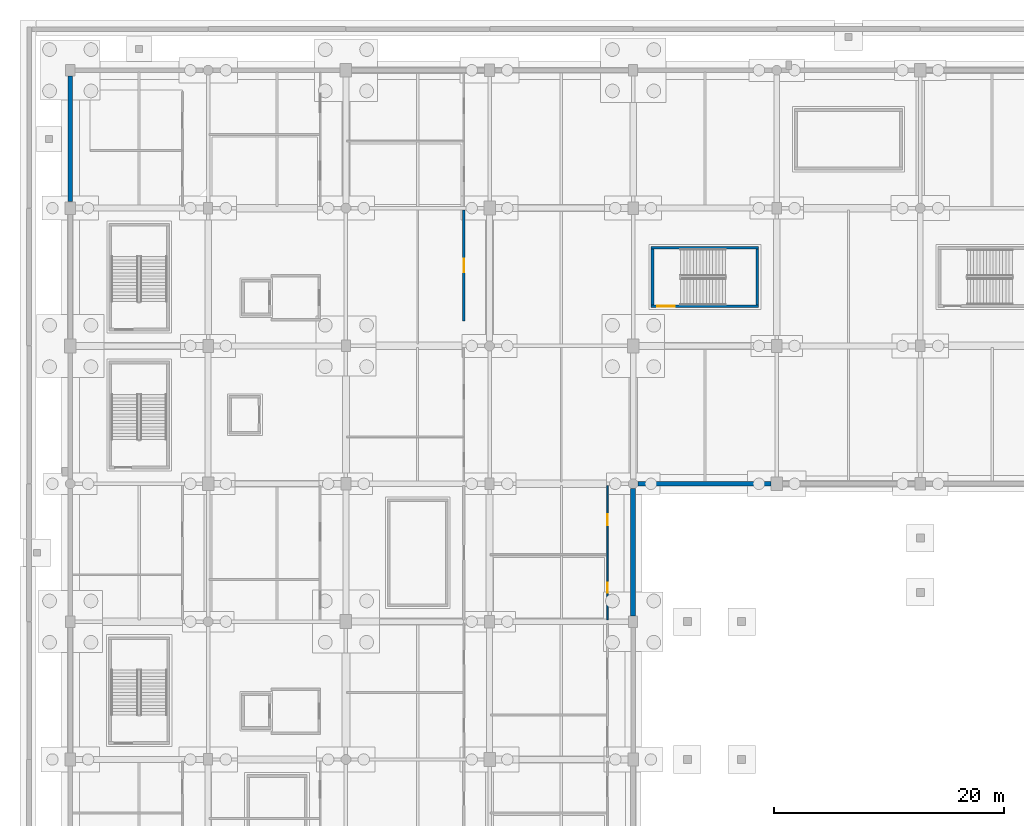
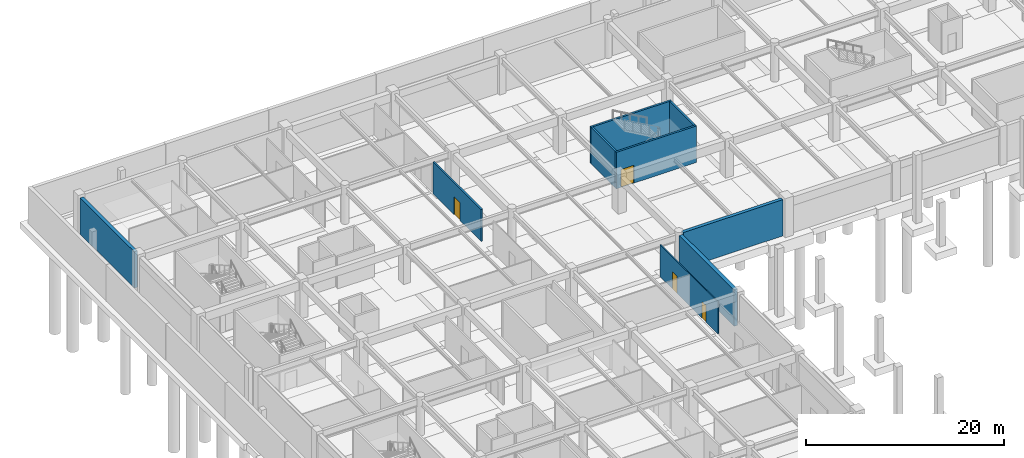
# One storey, part 35 of 56: 9 walls, 4 doors, 4 openings.
"""IFC4 building model written with IfcOpenShell, lengths in metres."""

import ifcopenshell
import ifcopenshell.guid

model = None  # the IFC model being written
_history = None  # IfcOwnerHistory: only IFC2X3 demands one
_inside = {}  # id of a spatial element -> (the spatial element, [elements in it])
_under = {}  # id of a project, library or spatial element -> (it, [spatial elements below it])
_declared = {}  # id of a project -> (the project, [libraries it declares])
_typed = {}  # id of a type object -> (the type object, [elements of that type])
_made_of = {}  # id of a material, layer set ... -> (it, [elements and type objects made of it])


def new_model(schema):
    """Start an empty IFC model of exactly this schema.

    Asked for "IFC4X3", IfcOpenShell would pick the latest addendum, in which some entities
    have other attributes; the version numbers below select the first issue.
    IFC2X3 requires an IfcOwnerHistory on every rooted entity: one is made here for all.
    """
    global model, _history
    if schema == "IFC4X3":
        model = ifcopenshell.file(schema_version=(4, 3, 0, 0))
    else:
        model = ifcopenshell.file(schema=schema)
    _inside.clear()
    _under.clear()
    _declared.clear()
    _typed.clear()
    _made_of.clear()
    _history = None
    if model.schema == "IFC2X3":
        org = make("IfcOrganization", Name="unknown")
        user = make(
            "IfcPersonAndOrganization",
            ThePerson=make("IfcPerson", FamilyName="unknown"),
            TheOrganization=org,
        )
        app = make(
            "IfcApplication",
            ApplicationDeveloper=org,
            Version="unknown",
            ApplicationFullName="unknown",
            ApplicationIdentifier="unknown",
        )
        _history = make(
            "IfcOwnerHistory",
            OwningUser=user,
            OwningApplication=app,
            ChangeAction="ADDED",
            CreationDate=0,
        )
    return model


def make(cls, **values):
    """One entity of the class cls with the attributes given. An attribute that is None is left unset."""
    return model.create_entity(
        cls, **{name: value for name, value in values.items() if value is not None}
    )


def rooted(cls, **values):
    """An entity with a GlobalId (a new one), such as an element, a storey or a relation."""
    return make(cls, GlobalId=ifcopenshell.guid.new(), OwnerHistory=_history, **values)


def si_unit(unit_type, name, prefix=None):
    """IfcSIUnit, for example si_unit("LENGTHUNIT", "METRE", prefix="MILLI")."""
    return make("IfcSIUnit", UnitType=unit_type, Prefix=prefix, Name=name)


def assignment(units):
    """IfcUnitAssignment: the units of a project."""
    return None if units is None else make("IfcUnitAssignment", Units=units)


def point(xyz):
    """IfcCartesianPoint."""
    return None if xyz is None else make("IfcCartesianPoint", Coordinates=xyz)


def direction(xyz):
    """IfcDirection."""
    return None if xyz is None else make("IfcDirection", DirectionRatios=xyz)


def frame(location, z_axis=None, x_axis=None):
    """IfcAxis2Placement3D, a coordinate frame: its origin and axes. An axis left out is left unset."""
    return make(
        "IfcAxis2Placement3D",
        Location=point(location),
        Axis=direction(z_axis),
        RefDirection=direction(x_axis),
    )


def frame_2d(location, x_axis=None):
    """IfcAxis2Placement2D, a coordinate frame in the plane: its origin and x axis."""
    return make(
        "IfcAxis2Placement2D", Location=point(location), RefDirection=direction(x_axis)
    )


def origin():
    """The frame at (0, 0, 0) with its axes left unset."""
    return frame((0.0, 0.0, 0.0))


def place(relative_to, where):
    """IfcLocalPlacement: puts the frame where relative to a parent placement (None: the world)."""
    return make(
        "IfcLocalPlacement", PlacementRelTo=relative_to, RelativePlacement=where
    )


def context(
    kind, dimensions, precision=None, world=None, true_north=None, identifier=None
):
    """IfcGeometricRepresentationContext, for example the 3D "Model" context."""
    return make(
        "IfcGeometricRepresentationContext",
        ContextIdentifier=identifier,
        ContextType=kind,
        CoordinateSpaceDimension=dimensions,
        Precision=precision,
        WorldCoordinateSystem=world,
        TrueNorth=true_north,
    )


def subcontext(parent, identifier, kind, view, scale=None):
    """IfcGeometricRepresentationSubContext, for example "Body" below "Model"."""
    return make(
        "IfcGeometricRepresentationSubContext",
        ContextIdentifier=identifier,
        ContextType=kind,
        ParentContext=parent,
        TargetScale=scale,
        TargetView=view,
    )


def project(units=None, contexts=None):
    """IfcProject with its units and contexts."""
    return rooted(
        "IfcProject",
        Name="project",
        RepresentationContexts=contexts,
        UnitsInContext=assignment(units),
    )


def spatial(cls, under=None, at=None, **own):
    """A site, building, storey or space (cls), placed at a placement, below another one or the project."""
    s = rooted(cls, ObjectPlacement=at, **own)
    if under is not None:
        _under.setdefault(under.id(), (under, []))[1].append(s)
    return s


def profile(cls, at=None, kind="AREA", **sizes):
    """A parametric profile (cls). Its sizes go by their IFC names, for example OverallWidth=200.0."""
    return make(cls, ProfileType=kind, Position=at, **sizes)


def rectangle(**sizes):
    """IfcRectangleProfileDef."""
    return profile("IfcRectangleProfileDef", **sizes)


def extrude(swept, where, along, depth):
    """IfcExtrudedAreaSolid: the profile swept, set in the frame where, extruded along a direction by depth."""
    return make(
        "IfcExtrudedAreaSolid",
        SweptArea=swept,
        Position=where,
        ExtrudedDirection=direction(along),
        Depth=depth,
    )


def shape(context_of_items, identifier, shape_type, items):
    """IfcShapeRepresentation: the items that make up one representation, for example the "Body"."""
    return make(
        "IfcShapeRepresentation",
        ContextOfItems=context_of_items,
        RepresentationIdentifier=identifier,
        RepresentationType=shape_type,
        Items=items,
    )


def material(Name=None, Category=None):
    """IfcMaterial."""
    return make("IfcMaterial", Name=Name, Category=Category)


def layer(
    of_material, thickness, ventilated=None, Name=None, Category=None, Priority=None
):
    """IfcMaterialLayer: one layer of a wall or slab, of a material (None: an air gap)."""
    return make(
        "IfcMaterialLayer",
        Material=of_material,
        LayerThickness=thickness,
        IsVentilated=ventilated,
        Name=Name,
        Category=Category,
        Priority=Priority,
    )


def layer_set(layers, Name=None):
    """IfcMaterialLayerSet."""
    return make("IfcMaterialLayerSet", MaterialLayers=layers, LayerSetName=Name)


def made_of(thing, what):
    """Note that an element or type object is made of a material, layer set ...; save() writes the relation."""
    if what is not None:
        _made_of.setdefault(what.id(), (what, []))[1].append(thing)
    return thing


def type_object(cls, material=None, **own):
    """A type object (cls), such as IfcWallType, which elements share."""
    return made_of(rooted(cls, **own), material)


def element(
    cls,
    number,
    at=None,
    inside=None,
    cuts=None,
    type_object=None,
    material=None,
    context=None,
    identifier="Body",
    shape_type=None,
    held_by="IfcProductDefinitionShape",
    body=None,
    shapes=None,
    **own,
):
    """One element of the class cls, such as IfcWall. Its Tag is "e" and its number.

    at: its placement. inside: the storey or other place that contains it. cuts: it is an
    opening in that element (IfcRelVoidsElement). A single representation is given by context,
    identifier, shape_type and body (its items); several are given by shapes. held_by: the class
    of the entity that holds the representations. save() writes the other relations.
    """
    e = rooted(cls, Tag="e%d" % number, ObjectPlacement=at, **own)
    if body is not None:
        shapes = [shape(context, identifier, shape_type, body)]
    if shapes is not None:
        e.Representation = make(held_by, Representations=shapes)
    if inside is not None:
        _inside.setdefault(inside.id(), (inside, []))[1].append(e)
    if cuts is not None:
        rooted(
            "IfcRelVoidsElement", RelatingBuildingElement=cuts, RelatedOpeningElement=e
        )
    if type_object is not None:
        _typed.setdefault(type_object.id(), (type_object, []))[1].append(e)
    return made_of(e, material)


def fill(opening, filler):
    """IfcRelFillsElement: the door or window that sits in an opening."""
    return rooted(
        "IfcRelFillsElement",
        RelatingOpeningElement=opening,
        RelatedBuildingElement=filler,
    )


def aggregate(whole, parts):
    """IfcRelAggregates: a whole, such as a stair, and the parts it consists of."""
    return rooted("IfcRelAggregates", RelatingObject=whole, RelatedObjects=parts)


def save(model, path):
    """Write the relations noted so far, then the file.

    IfcRelAggregates (storeys below a building ...), IfcRelContainedInSpatialStructure (elements
    in a storey), IfcRelDefinesByType, IfcRelAssociatesMaterial and IfcRelDeclares: one each for
    every whole, place, type object, material and project.
    """
    for whole, parts in _under.values():
        aggregate(whole, parts)
    for where, things in _inside.values():
        rooted(
            "IfcRelContainedInSpatialStructure",
            RelatedElements=things,
            RelatingStructure=where,
        )
    for kind, things in _typed.values():
        rooted("IfcRelDefinesByType", RelatedObjects=things, RelatingType=kind)
    for what, things in _made_of.values():
        rooted("IfcRelAssociatesMaterial", RelatedObjects=things, RelatingMaterial=what)
    for by, libraries in _declared.values():
        rooted("IfcRelDeclares", RelatingContext=by, RelatedDefinitions=libraries)
    model.write(path)


model = new_model("IFC4")

# Units and contexts
model_context = context("Model", 3, precision=1e-05, world=origin(), true_north=direction((0.0, 1.0)))
body_context = subcontext(model_context, "Body", "Model", "MODEL_VIEW")
ifc_project = project(units=[si_unit("LENGTHUNIT", "METRE"), si_unit("AREAUNIT", "SQUARE_METRE"), si_unit("VOLUMEUNIT", "CUBIC_METRE"), si_unit("PLANEANGLEUNIT", "RADIAN"), si_unit("MASSUNIT", "GRAM", prefix="KILO")], contexts=[model_context])

# Site, building, storey
site_placement = place(None, origin())
site = spatial("IfcSite", under=ifc_project, at=site_placement, CompositionType="ELEMENT")
building_placement = place(site_placement, origin())
building = spatial("IfcBuilding", under=site, at=building_placement, Name="Kazenohara Klinker Stadium", CompositionType="ELEMENT")
storey_placement = place(building_placement, frame((0.0, 0.0, -4.800048828125)))
storey = spatial("IfcBuildingStorey", under=building, at=storey_placement, Name="B01", CompositionType="ELEMENT", Elevation=-4.800048828125)

# Walls
ifc_material_1 = material(Name="Concrete C40/50", Category="concrete")
ifc_layer_1 = layer(ifc_material_1, 0.3798828125)
ifc_layer_set_1 = layer_set([ifc_layer_1], Name="Concrete C40/50")
wall_type_1 = type_object("IfcWallType", Name="WAL-B01-RET380", PredefinedType="STANDARD", material=ifc_layer_set_1)
wall_1_placement = place(storey_placement, frame((0.0, 156.553955078125, 0.0), z_axis=(0.0, 0.0, 1.0), x_axis=(0.0, 1.0, 0.0)))
element("IfcWall", 1, at=wall_1_placement, inside=storey, type_object=wall_type_1, Name="Basement perimeter retaining wall RW02 Y-00-13", PredefinedType="STANDARD", context=body_context, shape_type="SweptSolid", body=[
    extrude(rectangle(XDim=10.942138671875, YDim=0.3798828125, at=frame_2d((5.47119140625, 0.0))), origin(), (0.0, 0.0, 1.0), 4.4599609375),
])
wall_2_placement = place(storey_placement, frame((49.428955078125, 132.0, 0.0), z_axis=(0.0, 0.0, 1.0), x_axis=(1.0, 0.0, 0.0)))
element("IfcWall", 2, at=wall_2_placement, inside=storey, type_object=wall_type_1, Name="Basement perimeter retaining wall RW02 X-04-11", PredefinedType="STANDARD", context=body_context, shape_type="SweptSolid", body=[
    extrude(rectangle(XDim=11.567138671875, YDim=0.3798828125, at=frame_2d((5.78369140625, 0.0))), origin(), (0.0, 0.0, 1.0), 4.4599609375),
])
ifc_layer_2 = layer(ifc_material_1, 0.419921875)
ifc_layer_set_2 = layer_set([ifc_layer_2], Name="Concrete C40/50")
wall_type_2 = type_object("IfcWallType", Name="WAL-B01-RET420", PredefinedType="STANDARD", material=ifc_layer_set_2)
wall_3_placement = place(storey_placement, frame((49.0, 120.50390625, 0.0), z_axis=(0.0, 0.0, 1.0), x_axis=(0.0, 1.0, 0.0)))
element("IfcWall", 3, at=wall_3_placement, inside=storey, type_object=wall_type_2, Name="Basement perimeter retaining wall RW01 Y-04-10", PredefinedType="STANDARD", context=body_context, shape_type="SweptSolid", body=[
    extrude(rectangle(XDim=11.067138671875, YDim=0.419921875, at=frame_2d((5.53369140625, 0.0))), origin(), (0.0, 0.0, 1.0), 4.4599609375),
])

# Wall, opening, door
ifc_layer_3 = layer(ifc_material_1, 0.22998046875)
ifc_layer_set_3 = layer_set([ifc_layer_3], Name="Concrete C40/50")
wall_type_3 = type_object("IfcWallType", Name="WAL-CORE-230", PredefinedType="SHEAR", material=ifc_layer_set_3)
wall_4_placement = place(storey_placement, frame((50.570068359375, 147.455078125, 0.0), z_axis=(0.0, 0.0, 1.0), x_axis=(1.0, 0.0, 0.0)))
wall_4 = element("IfcWall", 4, at=wall_4_placement, inside=storey, type_object=wall_type_3, Name="Stairwell shear wall ST08 B01 South", PredefinedType="SHEAR", context=body_context, shape_type="SweptSolid", body=[
    extrude(rectangle(XDim=9.35986328125, YDim=0.22998046875, at=frame_2d((4.679931640625, 0.0))), origin(), (0.0, 0.0, 1.0), 4.5),
])
opening_1_placement = place(wall_4_placement, frame((0.550048828125, 0.0, 0.0)))
opening_1 = element("IfcOpeningElement", 5, at=opening_1_placement, cuts=wall_4, Name="Opening SD02", PredefinedType="OPENING", context=body_context, shape_type="SweptSolid", body=[
    extrude(rectangle(XDim=1.5, YDim=2.199951171875, at=frame_2d((0.75, 1.10009765625))), frame((0.0, 0.125, 0.0), z_axis=(0.0, -1.0, 0.0), x_axis=(1.0, 0.0, 0.0)), (0.0, 0.0, 1.0), 0.25),
])
ifc_material_2 = material(Name="Flush painted steel fire door leaf", Category="steel")
door_type_1 = type_object("IfcDoorType", Name="DR-STR-1500x2200", OperationType="NOTDEFINED", PredefinedType="DOOR", material=ifc_material_2)
door_1_placement = place(opening_1_placement, origin())
door_1 = element("IfcDoor", 6, at=door_1_placement, inside=storey, type_object=door_type_1, Name="Escape stairwell fire door ST08-B01", OperationType="SINGLE_SWING_RIGHT", OverallHeight=2.199951171875, OverallWidth=1.5, PredefinedType="DOOR", context=body_context, shape_type="SweptSolid", body=[
    extrude(rectangle(XDim=1.5, YDim=2.199951171875, at=frame_2d((0.75, 1.10009765625))), frame((0.0, 0.02490234375, 0.0), z_axis=(0.0, -1.0, 0.0), x_axis=(1.0, 0.0, 0.0)), (0.0, 0.0, 1.0), 0.050048828125),
])
fill(opening_1, door_1)

# Walls
wall_5_placement = place(storey_placement, frame((50.570068359375, 152.544921875, 0.0), z_axis=(0.0, 0.0, 1.0), x_axis=(1.0, 0.0, 0.0)))
element("IfcWall", 7, at=wall_5_placement, inside=storey, type_object=wall_type_3, Name="Stairwell shear wall ST08 B01 North", PredefinedType="SHEAR", context=body_context, shape_type="SweptSolid", body=[
    extrude(rectangle(XDim=9.35986328125, YDim=0.22998046875, at=frame_2d((4.679931640625, 0.0))), origin(), (0.0, 0.0, 1.0), 4.5),
])
for number, where, z_axis, x_axis, name in (
    (8, (50.68505859375, 147.570068359375, 0.0), (0.0, 0.0, 1.0), (0.0, 1.0, 0.0), "Stairwell shear wall ST08 B01 West"),
    (9, (59.81494140625, 147.570068359375, 0.0), (0.0, 0.0, 1.0), (0.0, 1.0, 0.0), "Stairwell shear wall ST08 B01 East"),
):
    element("IfcWall", number, at=place(storey_placement, frame(where, z_axis=z_axis, x_axis=x_axis)), inside=storey, type_object=wall_type_3, Name=name, PredefinedType="SHEAR", context=body_context, shape_type="SweptSolid", body=[
        extrude(rectangle(XDim=4.85986328125, YDim=0.22998046875, at=frame_2d((2.429931640625, 0.0))), origin(), (0.0, 0.0, 1.0), 4.5),
    ])

# Wall, openings, doors
ifc_material_3 = material(Name="Fire-rated gypsum board on acoustic studs", Category="gypsum")
ifc_layer_4 = layer(ifc_material_3, 0.1201171875)
ifc_layer_set_4 = layer_set([ifc_layer_4], Name="Fire-rated gypsum board on acoustic studs")
wall_type_4 = type_object("IfcWallType", Name="WAL-INT-P120", PredefinedType="PARTITIONING", material=ifc_layer_set_4)
wall_6_placement = place(storey_placement, frame((46.760009765625, 120.159912109375, 0.0), z_axis=(0.0, 0.0, 1.0), x_axis=(0.0, 1.0, 0.0)))
wall_6 = element("IfcWall", 10, at=wall_6_placement, inside=storey, type_object=wall_type_4, Name="Interior partition wall PT02 SPC-B01-03-10-1-1", PredefinedType="PARTITIONING", context=body_context, shape_type="SweptSolid", body=[
    extrude(rectangle(XDim=11.68017578125, YDim=0.1201171875, at=frame_2d((5.840087890625, 0.0))), origin(), (0.0, 0.0, 1.0), 3.920166015625),
])
opening_2_placement = place(wall_6_placement, frame((2.34228515625, 0.0, 0.0)))
opening_2 = element("IfcOpeningElement", 11, at=opening_2_placement, cuts=wall_6, Name="Opening ID01", PredefinedType="OPENING", context=body_context, shape_type="SweptSolid", body=[
    extrude(rectangle(XDim=0.89990234375, YDim=2.06005859375, at=frame_2d((0.449951171875, 1.030029296875))), frame((0.0, 0.070068359375, 0.0), z_axis=(0.0, -1.0, 0.0), x_axis=(1.0, 0.0, 0.0)), (0.0, 0.0, 1.0), 0.14013671875),
])
opening_3_placement = place(wall_6_placement, frame((8.25244140625, 0.0, 0.0)))
opening_3 = element("IfcOpeningElement", 12, at=opening_3_placement, cuts=wall_6, Name="Opening ID02", PredefinedType="OPENING", context=body_context, shape_type="SweptSolid", body=[
    extrude(rectangle(XDim=0.919921875, YDim=2.10009765625, at=frame_2d((0.4599609375, 1.050048828125))), frame((0.0, 0.070068359375, 0.0), z_axis=(0.0, -1.0, 0.0), x_axis=(1.0, 0.0, 0.0)), (0.0, 0.0, 1.0), 0.14013671875),
])
ifc_material_4 = material(Name="Solid-core Hokkaido oak fire door", Category="wood")
door_type_2 = type_object("IfcDoorType", Name="DR-INT-01", OperationType="NOTDEFINED", PredefinedType="DOOR", material=ifc_material_4)
door_2_placement = place(opening_2_placement, origin())
door_2 = element("IfcDoor", 13, at=door_2_placement, inside=storey, type_object=door_type_2, Name="Interior door ID01 Sports Hydrotherapy Recovery Clinic B01-0310A", OperationType="SINGLE_SWING_RIGHT", OverallHeight=2.06005859375, OverallWidth=0.89990234375, PredefinedType="DOOR", context=body_context, shape_type="SweptSolid", body=[
    extrude(rectangle(XDim=0.89990234375, YDim=2.06005859375, at=frame_2d((0.449951171875, 1.030029296875))), frame((0.0, 0.02490234375, 0.0), z_axis=(0.0, -1.0, 0.0), x_axis=(1.0, 0.0, 0.0)), (0.0, 0.0, 1.0), 0.050048828125),
])
fill(opening_2, door_2)
door_type_3 = type_object("IfcDoorType", Name="DR-INT-02", OperationType="NOTDEFINED", PredefinedType="DOOR", material=ifc_material_4)
door_3_placement = place(opening_3_placement, origin())
door_3 = element("IfcDoor", 14, at=door_3_placement, inside=storey, type_object=door_type_3, Name="Interior door ID02 Doping Control Medical Laboratory B01-0310B", OperationType="SINGLE_SWING_LEFT", OverallHeight=2.10009765625, OverallWidth=0.919921875, PredefinedType="DOOR", context=body_context, shape_type="SweptSolid", body=[
    extrude(rectangle(XDim=0.919921875, YDim=2.10009765625, at=frame_2d((0.4599609375, 1.050048828125))), frame((0.0, 0.02490234375, 0.0), z_axis=(0.0, -1.0, 0.0), x_axis=(1.0, 0.0, 0.0)), (0.0, 0.0, 1.0), 0.050048828125),
])
fill(opening_3, door_3)

# Wall, opening, door
ifc_layer_5 = layer(ifc_material_3, 0.18994140625)
ifc_layer_set_5 = layer_set([ifc_layer_5], Name="Fire-rated gypsum board on acoustic studs")
wall_type_5 = type_object("IfcWallType", Name="WAL-INT-P190", PredefinedType="PARTITIONING", material=ifc_layer_set_5)
wall_7_placement = place(storey_placement, frame((34.260009765625, 146.169921875, 0.0), z_axis=(0.0, 0.0, 1.0), x_axis=(0.0, 1.0, 0.0)))
wall_7 = element("IfcWall", 15, at=wall_7_placement, inside=storey, type_object=wall_type_5, Name="Interior partition wall PT06 SPC-B01-02-12-1-1", PredefinedType="PARTITIONING", context=body_context, shape_type="SweptSolid", body=[
    extrude(rectangle(XDim=9.670166015625, YDim=0.18994140625, at=frame_2d((4.8349609375, 0.0))), origin(), (0.0, 0.0, 1.0), 3.920166015625),
])
opening_4_placement = place(wall_7_placement, frame((4.22998046875, 0.0, 0.0)))
opening_4 = element("IfcOpeningElement", 16, at=opening_4_placement, cuts=wall_7, Name="Opening ID12", PredefinedType="OPENING", context=body_context, shape_type="SweptSolid", body=[
    extrude(rectangle(XDim=1.2099609375, YDim=2.179931640625, at=frame_2d((0.60498046875, 1.08984375))), frame((0.0, 0.10498046875, 0.0), z_axis=(0.0, -1.0, 0.0), x_axis=(1.0, 0.0, 0.0)), (0.0, 0.0, 1.0), 0.2099609375),
])
door_type_4 = type_object("IfcDoorType", Name="DR-INT-12", OperationType="NOTDEFINED", PredefinedType="DOOR", material=ifc_material_4)
door_4_placement = place(opening_4_placement, origin())
door_4 = element("IfcDoor", 17, at=door_4_placement, inside=storey, type_object=door_type_4, Name="Interior door ID12 Match Officials Dressing Room B01-0212A", OperationType="SINGLE_SWING_LEFT", OverallHeight=2.179931640625, OverallWidth=1.2099609375, PredefinedType="DOOR", context=body_context, shape_type="SweptSolid", body=[
    extrude(rectangle(XDim=1.2099609375, YDim=2.179931640625, at=frame_2d((0.60498046875, 1.08984375))), frame((0.0, 0.02490234375, 0.0), z_axis=(0.0, -1.0, 0.0), x_axis=(1.0, 0.0, 0.0)), (0.0, 0.0, 1.0), 0.050048828125),
])
fill(opening_4, door_4)

save(model, "model.ifc")
